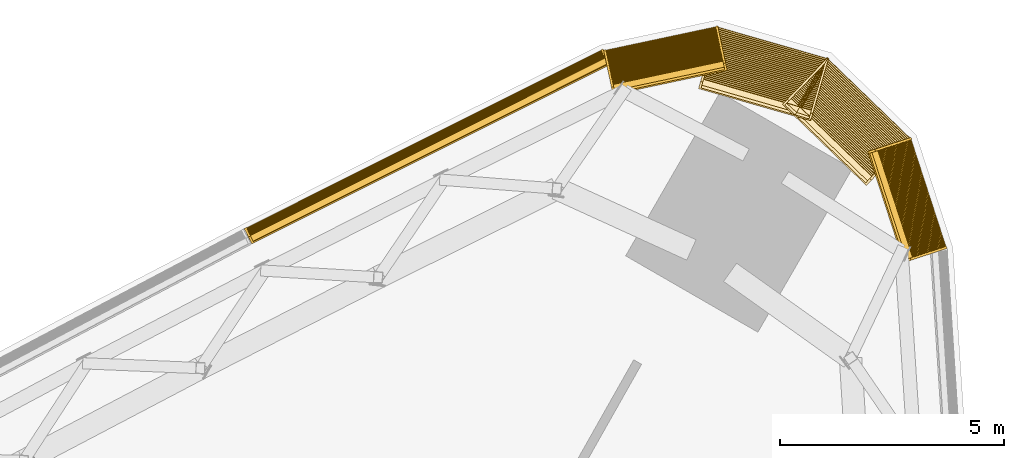
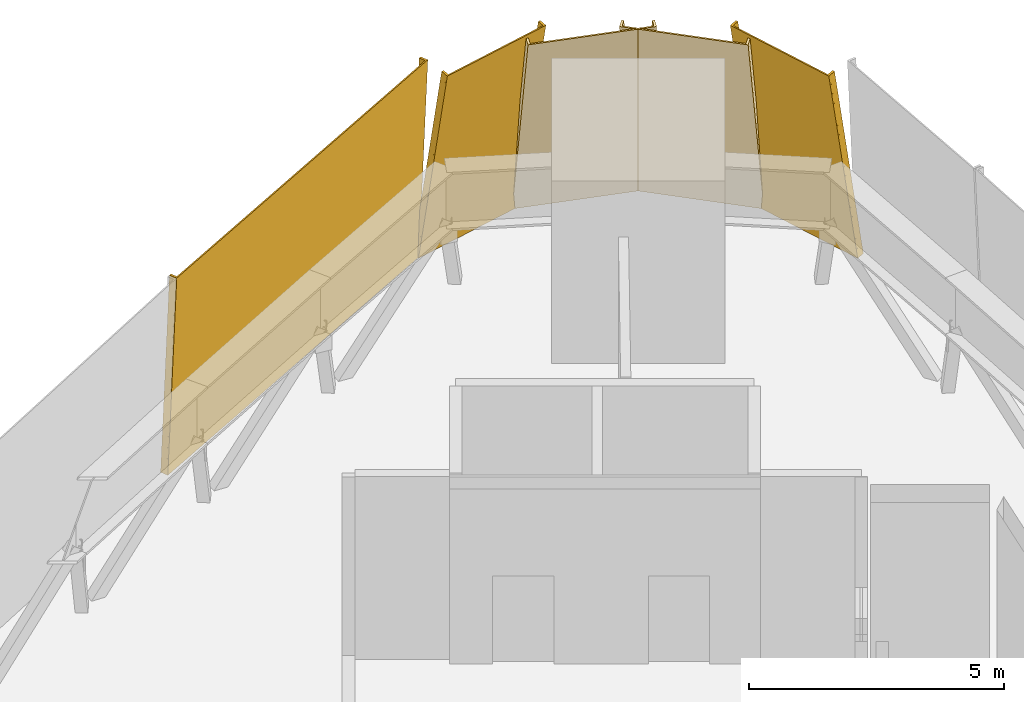
# One storey, part 19 of 19: 5 coverings.
"""IFC4 building model written with IfcOpenShell, lengths in metres."""

from ifc_helpers import new_model, si_unit, direction, frame, frame_2d, origin, place, context, subcontext, project, spatial, rectangle, extrude, source, transform, mapped, material, type_object, element, save


model = new_model("IFC4")

# Units and contexts
model_context = context("Model", 3, precision=1e-05, world=origin(), true_north=direction((0.0, 1.0)))
body_context = subcontext(model_context, "Body", "Model", "MODEL_VIEW")
ifc_project = project(units=[si_unit("LENGTHUNIT", "METRE"), si_unit("AREAUNIT", "SQUARE_METRE"), si_unit("VOLUMEUNIT", "CUBIC_METRE"), si_unit("PLANEANGLEUNIT", "RADIAN"), si_unit("MASSUNIT", "GRAM", prefix="KILO")], contexts=[model_context])

# Site, building, storey
site_placement = place(None, origin())
site = spatial("IfcSite", under=ifc_project, at=site_placement, CompositionType="ELEMENT")
building_placement = place(site_placement, origin())
building = spatial("IfcBuilding", under=site, at=building_placement, Name="Tamra Quay Hotel Tower", CompositionType="ELEMENT")
storey_placement = place(building_placement, frame((0.0, 0.0, 74.60009765625)))
storey = spatial("IfcBuildingStorey", under=building, at=storey_placement, Name="L17", CompositionType="ELEMENT", Elevation=74.60009765625)

# Coverings
ifc_material = material(Name="Terracotta louvre panel", Category="masonry")
covering_type_1 = type_object("IfcCoveringType", Name="PLANT LOUVRE H4805", PredefinedType="USERDEFINED", material=ifc_material)
shared_shape_1 = source(origin(), body_context, "Body", "SweptSolid", [
    extrude(rectangle(XDim=8.93994140625, YDim=0.030029296875, at=frame_2d((4.469970703125, 0.01513671875))), frame((-4.469970703125, -0.030029296875, 0.0)), (0.0, 0.0, 1.0), 4.804931640625),
    extrude(rectangle(XDim=0.050048828125, YDim=0.139892578125, at=frame_2d((0.02490234375, 0.06982421875))), frame((-4.469970703125, -0.169921875, 0.0)), (0.0, 0.0, 1.0), 4.804931640625),
    extrude(rectangle(XDim=0.050048828125, YDim=0.139892578125, at=frame_2d((0.02490234375, 0.06982421875))), frame((4.419921875, -0.169921875, 0.0)), (0.0, 0.0, 1.0), 4.804931640625),
    extrude(rectangle(XDim=8.840087890625, YDim=0.139892578125, at=frame_2d((4.419921875, 0.06982421875))), frame((-4.419921875, -0.169921875, 0.050048828125)), (0.0, 0.0, 1.0), 0.034912109375),
    extrude(rectangle(XDim=8.840087890625, YDim=0.139892578125, at=frame_2d((4.419921875, 0.06982421875))), frame((-4.419921875, -0.169921875, 0.2099609375)), (0.0, 0.0, 1.0), 0.034912109375),
    extrude(rectangle(XDim=8.840087890625, YDim=0.139892578125, at=frame_2d((4.419921875, 0.06982421875))), frame((-4.419921875, -0.169921875, 0.3701171875)), (0.0, 0.0, 1.0), 0.034912109375),
    extrude(rectangle(XDim=8.840087890625, YDim=0.139892578125, at=frame_2d((4.419921875, 0.06982421875))), frame((-4.419921875, -0.169921875, 0.530029296875)), (0.0, 0.0, 1.0), 0.034912109375),
    extrude(rectangle(XDim=8.840087890625, YDim=0.139892578125, at=frame_2d((4.419921875, 0.06982421875))), frame((-4.419921875, -0.169921875, 0.68994140625)), (0.0, 0.0, 1.0), 0.034912109375),
    extrude(rectangle(XDim=8.840087890625, YDim=0.139892578125, at=frame_2d((4.419921875, 0.06982421875))), frame((-4.419921875, -0.169921875, 0.85009765625)), (0.0, 0.0, 1.0), 0.034912109375),
    extrude(rectangle(XDim=8.840087890625, YDim=0.139892578125, at=frame_2d((4.419921875, 0.06982421875))), frame((-4.419921875, -0.169921875, 1.010009765625)), (0.0, 0.0, 1.0), 0.034912109375),
    extrude(rectangle(XDim=8.840087890625, YDim=0.139892578125, at=frame_2d((4.419921875, 0.06982421875))), frame((-4.419921875, -0.169921875, 1.169921875)), (0.0, 0.0, 1.0), 0.034912109375),
    extrude(rectangle(XDim=8.840087890625, YDim=0.139892578125, at=frame_2d((4.419921875, 0.06982421875))), frame((-4.419921875, -0.169921875, 1.330078125)), (0.0, 0.0, 1.0), 0.034912109375),
    extrude(rectangle(XDim=8.840087890625, YDim=0.139892578125, at=frame_2d((4.419921875, 0.06982421875))), frame((-4.419921875, -0.169921875, 1.489990234375)), (0.0, 0.0, 1.0), 0.034912109375),
    extrude(rectangle(XDim=8.840087890625, YDim=0.139892578125, at=frame_2d((4.419921875, 0.06982421875))), frame((-4.419921875, -0.169921875, 1.64990234375)), (0.0, 0.0, 1.0), 0.034912109375),
    extrude(rectangle(XDim=8.840087890625, YDim=0.139892578125, at=frame_2d((4.419921875, 0.06982421875))), frame((-4.419921875, -0.169921875, 1.81005859375)), (0.0, 0.0, 1.0), 0.034912109375),
    extrude(rectangle(XDim=8.840087890625, YDim=0.139892578125, at=frame_2d((4.419921875, 0.06982421875))), frame((-4.419921875, -0.169921875, 1.969970703125)), (0.0, 0.0, 1.0), 0.034912109375),
    extrude(rectangle(XDim=8.840087890625, YDim=0.139892578125, at=frame_2d((4.419921875, 0.06982421875))), frame((-4.419921875, -0.169921875, 2.1298828125)), (0.0, 0.0, 1.0), 0.034912109375),
    extrude(rectangle(XDim=8.840087890625, YDim=0.139892578125, at=frame_2d((4.419921875, 0.06982421875))), frame((-4.419921875, -0.169921875, 2.2900390625)), (0.0, 0.0, 1.0), 0.034912109375),
    extrude(rectangle(XDim=8.840087890625, YDim=0.139892578125, at=frame_2d((4.419921875, 0.06982421875))), frame((-4.419921875, -0.169921875, 2.449951171875)), (0.0, 0.0, 1.0), 0.034912109375),
    extrude(rectangle(XDim=8.840087890625, YDim=0.139892578125, at=frame_2d((4.419921875, 0.06982421875))), frame((-4.419921875, -0.169921875, 2.610107421875)), (0.0, 0.0, 1.0), 0.034912109375),
    extrude(rectangle(XDim=8.840087890625, YDim=0.139892578125, at=frame_2d((4.419921875, 0.06982421875))), frame((-4.419921875, -0.169921875, 2.77001953125)), (0.0, 0.0, 1.0), 0.034912109375),
    extrude(rectangle(XDim=8.840087890625, YDim=0.139892578125, at=frame_2d((4.419921875, 0.06982421875))), frame((-4.419921875, -0.169921875, 2.929931640625)), (0.0, 0.0, 1.0), 0.034912109375),
    extrude(rectangle(XDim=8.840087890625, YDim=0.139892578125, at=frame_2d((4.419921875, 0.06982421875))), frame((-4.419921875, -0.169921875, 3.090087890625)), (0.0, 0.0, 1.0), 0.034912109375),
    extrude(rectangle(XDim=8.840087890625, YDim=0.139892578125, at=frame_2d((4.419921875, 0.06982421875))), frame((-4.419921875, -0.169921875, 3.25)), (0.0, 0.0, 1.0), 0.034912109375),
    extrude(rectangle(XDim=8.840087890625, YDim=0.139892578125, at=frame_2d((4.419921875, 0.06982421875))), frame((-4.419921875, -0.169921875, 3.409912109375)), (0.0, 0.0, 1.0), 0.034912109375),
    extrude(rectangle(XDim=8.840087890625, YDim=0.139892578125, at=frame_2d((4.419921875, 0.06982421875))), frame((-4.419921875, -0.169921875, 3.570068359375)), (0.0, 0.0, 1.0), 0.034912109375),
    extrude(rectangle(XDim=8.840087890625, YDim=0.139892578125, at=frame_2d((4.419921875, 0.06982421875))), frame((-4.419921875, -0.169921875, 3.72998046875)), (0.0, 0.0, 1.0), 0.034912109375),
    extrude(rectangle(XDim=8.840087890625, YDim=0.139892578125, at=frame_2d((4.419921875, 0.06982421875))), frame((-4.419921875, -0.169921875, 3.889892578125)), (0.0, 0.0, 1.0), 0.034912109375),
    extrude(rectangle(XDim=8.840087890625, YDim=0.139892578125, at=frame_2d((4.419921875, 0.06982421875))), frame((-4.419921875, -0.169921875, 4.050048828125)), (0.0, 0.0, 1.0), 0.034912109375),
    extrude(rectangle(XDim=8.840087890625, YDim=0.139892578125, at=frame_2d((4.419921875, 0.06982421875))), frame((-4.419921875, -0.169921875, 4.2099609375)), (0.0, 0.0, 1.0), 0.034912109375),
    extrude(rectangle(XDim=8.840087890625, YDim=0.139892578125, at=frame_2d((4.419921875, 0.06982421875))), frame((-4.419921875, -0.169921875, 4.3701171875)), (0.0, 0.0, 1.0), 0.034912109375),
    extrude(rectangle(XDim=8.840087890625, YDim=0.139892578125, at=frame_2d((4.419921875, 0.06982421875))), frame((-4.419921875, -0.169921875, 4.530029296875)), (0.0, 0.0, 1.0), 0.034912109375),
])
covering_placement = place(storey_placement, frame((10.314453125, 31.381103515625, 0.0), z_axis=(0.01952582504, -0.039005039554, 0.999048221582), x_axis=(-0.89421337415, -0.447640973875, 0.0)))
element("IfcCovering", 1, at=covering_placement, inside=storey, type_object=covering_type_1, Name="Plant louvre L17.NW.f00", ObjectType="LOUVER", PredefinedType="USERDEFINED", context=body_context, shape_type="MappedRepresentation", body=[
    mapped(shared_shape_1, transform((0.0, 0.0, 0.0), scale=1.0)),
])
covering_type_2 = type_object("IfcCoveringType", Name="PLANT LOUVRE H4874", PredefinedType="USERDEFINED", material=ifc_material)
shared_shape_2 = source(origin(), body_context, "Body", "SweptSolid", [
    extrude(rectangle(XDim=2.60009765625, YDim=0.030029296875, at=frame_2d((1.300048828125, 0.01513671875))), frame((-1.300048828125, -0.030029296875, 0.0)), (0.0, 0.0, 1.0), 4.8740234375),
    extrude(rectangle(XDim=0.050048828125, YDim=0.139892578125, at=frame_2d((0.02490234375, 0.06982421875))), frame((-1.300048828125, -0.169921875, 0.0)), (0.0, 0.0, 1.0), 4.8740234375),
    extrude(rectangle(XDim=0.050048828125, YDim=0.139892578125, at=frame_2d((0.02490234375, 0.06982421875))), frame((1.25, -0.169921875, 0.0)), (0.0, 0.0, 1.0), 4.8740234375),
    extrude(rectangle(XDim=2.5, YDim=0.139892578125, at=frame_2d((1.25, 0.06982421875))), frame((-1.25, -0.169921875, 0.050048828125)), (0.0, 0.0, 1.0), 0.034912109375),
    extrude(rectangle(XDim=2.5, YDim=0.139892578125, at=frame_2d((1.25, 0.06982421875))), frame((-1.25, -0.169921875, 0.2099609375)), (0.0, 0.0, 1.0), 0.034912109375),
    extrude(rectangle(XDim=2.5, YDim=0.139892578125, at=frame_2d((1.25, 0.06982421875))), frame((-1.25, -0.169921875, 0.3701171875)), (0.0, 0.0, 1.0), 0.034912109375),
    extrude(rectangle(XDim=2.5, YDim=0.139892578125, at=frame_2d((1.25, 0.06982421875))), frame((-1.25, -0.169921875, 0.530029296875)), (0.0, 0.0, 1.0), 0.034912109375),
    extrude(rectangle(XDim=2.5, YDim=0.139892578125, at=frame_2d((1.25, 0.06982421875))), frame((-1.25, -0.169921875, 0.68994140625)), (0.0, 0.0, 1.0), 0.034912109375),
    extrude(rectangle(XDim=2.5, YDim=0.139892578125, at=frame_2d((1.25, 0.06982421875))), frame((-1.25, -0.169921875, 0.85009765625)), (0.0, 0.0, 1.0), 0.034912109375),
    extrude(rectangle(XDim=2.5, YDim=0.139892578125, at=frame_2d((1.25, 0.06982421875))), frame((-1.25, -0.169921875, 1.010009765625)), (0.0, 0.0, 1.0), 0.034912109375),
    extrude(rectangle(XDim=2.5, YDim=0.139892578125, at=frame_2d((1.25, 0.06982421875))), frame((-1.25, -0.169921875, 1.169921875)), (0.0, 0.0, 1.0), 0.034912109375),
    extrude(rectangle(XDim=2.5, YDim=0.139892578125, at=frame_2d((1.25, 0.06982421875))), frame((-1.25, -0.169921875, 1.330078125)), (0.0, 0.0, 1.0), 0.034912109375),
    extrude(rectangle(XDim=2.5, YDim=0.139892578125, at=frame_2d((1.25, 0.06982421875))), frame((-1.25, -0.169921875, 1.489990234375)), (0.0, 0.0, 1.0), 0.034912109375),
    extrude(rectangle(XDim=2.5, YDim=0.139892578125, at=frame_2d((1.25, 0.06982421875))), frame((-1.25, -0.169921875, 1.64990234375)), (0.0, 0.0, 1.0), 0.034912109375),
    extrude(rectangle(XDim=2.5, YDim=0.139892578125, at=frame_2d((1.25, 0.06982421875))), frame((-1.25, -0.169921875, 1.81005859375)), (0.0, 0.0, 1.0), 0.034912109375),
    extrude(rectangle(XDim=2.5, YDim=0.139892578125, at=frame_2d((1.25, 0.06982421875))), frame((-1.25, -0.169921875, 1.969970703125)), (0.0, 0.0, 1.0), 0.034912109375),
    extrude(rectangle(XDim=2.5, YDim=0.139892578125, at=frame_2d((1.25, 0.06982421875))), frame((-1.25, -0.169921875, 2.1298828125)), (0.0, 0.0, 1.0), 0.034912109375),
    extrude(rectangle(XDim=2.5, YDim=0.139892578125, at=frame_2d((1.25, 0.06982421875))), frame((-1.25, -0.169921875, 2.2900390625)), (0.0, 0.0, 1.0), 0.034912109375),
    extrude(rectangle(XDim=2.5, YDim=0.139892578125, at=frame_2d((1.25, 0.06982421875))), frame((-1.25, -0.169921875, 2.449951171875)), (0.0, 0.0, 1.0), 0.034912109375),
    extrude(rectangle(XDim=2.5, YDim=0.139892578125, at=frame_2d((1.25, 0.06982421875))), frame((-1.25, -0.169921875, 2.610107421875)), (0.0, 0.0, 1.0), 0.034912109375),
    extrude(rectangle(XDim=2.5, YDim=0.139892578125, at=frame_2d((1.25, 0.06982421875))), frame((-1.25, -0.169921875, 2.77001953125)), (0.0, 0.0, 1.0), 0.034912109375),
    extrude(rectangle(XDim=2.5, YDim=0.139892578125, at=frame_2d((1.25, 0.06982421875))), frame((-1.25, -0.169921875, 2.929931640625)), (0.0, 0.0, 1.0), 0.034912109375),
    extrude(rectangle(XDim=2.5, YDim=0.139892578125, at=frame_2d((1.25, 0.06982421875))), frame((-1.25, -0.169921875, 3.090087890625)), (0.0, 0.0, 1.0), 0.034912109375),
    extrude(rectangle(XDim=2.5, YDim=0.139892578125, at=frame_2d((1.25, 0.06982421875))), frame((-1.25, -0.169921875, 3.25)), (0.0, 0.0, 1.0), 0.034912109375),
    extrude(rectangle(XDim=2.5, YDim=0.139892578125, at=frame_2d((1.25, 0.06982421875))), frame((-1.25, -0.169921875, 3.409912109375)), (0.0, 0.0, 1.0), 0.034912109375),
    extrude(rectangle(XDim=2.5, YDim=0.139892578125, at=frame_2d((1.25, 0.06982421875))), frame((-1.25, -0.169921875, 3.570068359375)), (0.0, 0.0, 1.0), 0.034912109375),
    extrude(rectangle(XDim=2.5, YDim=0.139892578125, at=frame_2d((1.25, 0.06982421875))), frame((-1.25, -0.169921875, 3.72998046875)), (0.0, 0.0, 1.0), 0.034912109375),
    extrude(rectangle(XDim=2.5, YDim=0.139892578125, at=frame_2d((1.25, 0.06982421875))), frame((-1.25, -0.169921875, 3.889892578125)), (0.0, 0.0, 1.0), 0.034912109375),
    extrude(rectangle(XDim=2.5, YDim=0.139892578125, at=frame_2d((1.25, 0.06982421875))), frame((-1.25, -0.169921875, 4.050048828125)), (0.0, 0.0, 1.0), 0.034912109375),
    extrude(rectangle(XDim=2.5, YDim=0.139892578125, at=frame_2d((1.25, 0.06982421875))), frame((-1.25, -0.169921875, 4.2099609375)), (0.0, 0.0, 1.0), 0.034912109375),
    extrude(rectangle(XDim=2.5, YDim=0.139892578125, at=frame_2d((1.25, 0.06982421875))), frame((-1.25, -0.169921875, 4.3701171875)), (0.0, 0.0, 1.0), 0.034912109375),
    extrude(rectangle(XDim=2.5, YDim=0.139892578125, at=frame_2d((1.25, 0.06982421875))), frame((-1.25, -0.169921875, 4.530029296875)), (0.0, 0.0, 1.0), 0.034912109375),
])
for number, where, z_axis, x_axis, name in (
    (2, (21.335693359375, 30.276123046875, 0.0), (-0.165147901705, -0.05366432865, 0.984807753012), (-0.309040551826, 0.951048861693, 0.0), "Plant louvre L17.E.c00"),
    (3, (15.552001953125, 33.615234375, 0.0), (0.036099278965, -0.169854442583, 0.984807753012), (-0.978152750379, -0.207887462165, 0.0), "Plant louvre L17.E.c03"),
):
    element("IfcCovering", number, at=place(storey_placement, frame(where, z_axis=z_axis, x_axis=x_axis)), inside=storey, type_object=covering_type_2, Name=name, ObjectType="LOUVER", PredefinedType="USERDEFINED", context=body_context, shape_type="MappedRepresentation", body=[
        mapped(shared_shape_2, transform((0.0, 0.0, 0.0), scale=1.0)),
    ])
covering_type_3 = type_object("IfcCoveringType", Name="PLANT LOUVRE H4969", PredefinedType="USERDEFINED", material=ifc_material)
shared_shape_3 = source(origin(), body_context, "Body", "SweptSolid", [
    extrude(rectangle(XDim=2.60009765625, YDim=0.030029296875, at=frame_2d((1.300048828125, 0.01513671875))), frame((-1.300048828125, -0.030029296875, 0.0)), (0.0, 0.0, 1.0), 4.968994140625),
    extrude(rectangle(XDim=0.050048828125, YDim=0.139892578125, at=frame_2d((0.02490234375, 0.06982421875))), frame((-1.300048828125, -0.169921875, 0.0)), (0.0, 0.0, 1.0), 4.968994140625),
    extrude(rectangle(XDim=0.050048828125, YDim=0.139892578125, at=frame_2d((0.02490234375, 0.06982421875))), frame((1.25, -0.169921875, 0.0)), (0.0, 0.0, 1.0), 4.968994140625),
    extrude(rectangle(XDim=2.5, YDim=0.139892578125, at=frame_2d((1.25, 0.06982421875))), frame((-1.25, -0.169921875, 0.050048828125)), (0.0, 0.0, 1.0), 0.034912109375),
    extrude(rectangle(XDim=2.5, YDim=0.139892578125, at=frame_2d((1.25, 0.06982421875))), frame((-1.25, -0.169921875, 0.2099609375)), (0.0, 0.0, 1.0), 0.034912109375),
    extrude(rectangle(XDim=2.5, YDim=0.139892578125, at=frame_2d((1.25, 0.06982421875))), frame((-1.25, -0.169921875, 0.3701171875)), (0.0, 0.0, 1.0), 0.034912109375),
    extrude(rectangle(XDim=2.5, YDim=0.139892578125, at=frame_2d((1.25, 0.06982421875))), frame((-1.25, -0.169921875, 0.530029296875)), (0.0, 0.0, 1.0), 0.034912109375),
    extrude(rectangle(XDim=2.5, YDim=0.139892578125, at=frame_2d((1.25, 0.06982421875))), frame((-1.25, -0.169921875, 0.68994140625)), (0.0, 0.0, 1.0), 0.034912109375),
    extrude(rectangle(XDim=2.5, YDim=0.139892578125, at=frame_2d((1.25, 0.06982421875))), frame((-1.25, -0.169921875, 0.85009765625)), (0.0, 0.0, 1.0), 0.034912109375),
    extrude(rectangle(XDim=2.5, YDim=0.139892578125, at=frame_2d((1.25, 0.06982421875))), frame((-1.25, -0.169921875, 1.010009765625)), (0.0, 0.0, 1.0), 0.034912109375),
    extrude(rectangle(XDim=2.5, YDim=0.139892578125, at=frame_2d((1.25, 0.06982421875))), frame((-1.25, -0.169921875, 1.169921875)), (0.0, 0.0, 1.0), 0.034912109375),
    extrude(rectangle(XDim=2.5, YDim=0.139892578125, at=frame_2d((1.25, 0.06982421875))), frame((-1.25, -0.169921875, 1.330078125)), (0.0, 0.0, 1.0), 0.034912109375),
    extrude(rectangle(XDim=2.5, YDim=0.139892578125, at=frame_2d((1.25, 0.06982421875))), frame((-1.25, -0.169921875, 1.489990234375)), (0.0, 0.0, 1.0), 0.034912109375),
    extrude(rectangle(XDim=2.5, YDim=0.139892578125, at=frame_2d((1.25, 0.06982421875))), frame((-1.25, -0.169921875, 1.64990234375)), (0.0, 0.0, 1.0), 0.034912109375),
    extrude(rectangle(XDim=2.5, YDim=0.139892578125, at=frame_2d((1.25, 0.06982421875))), frame((-1.25, -0.169921875, 1.81005859375)), (0.0, 0.0, 1.0), 0.034912109375),
    extrude(rectangle(XDim=2.5, YDim=0.139892578125, at=frame_2d((1.25, 0.06982421875))), frame((-1.25, -0.169921875, 1.969970703125)), (0.0, 0.0, 1.0), 0.034912109375),
    extrude(rectangle(XDim=2.5, YDim=0.139892578125, at=frame_2d((1.25, 0.06982421875))), frame((-1.25, -0.169921875, 2.1298828125)), (0.0, 0.0, 1.0), 0.034912109375),
    extrude(rectangle(XDim=2.5, YDim=0.139892578125, at=frame_2d((1.25, 0.06982421875))), frame((-1.25, -0.169921875, 2.2900390625)), (0.0, 0.0, 1.0), 0.034912109375),
    extrude(rectangle(XDim=2.5, YDim=0.139892578125, at=frame_2d((1.25, 0.06982421875))), frame((-1.25, -0.169921875, 2.449951171875)), (0.0, 0.0, 1.0), 0.034912109375),
    extrude(rectangle(XDim=2.5, YDim=0.139892578125, at=frame_2d((1.25, 0.06982421875))), frame((-1.25, -0.169921875, 2.610107421875)), (0.0, 0.0, 1.0), 0.034912109375),
    extrude(rectangle(XDim=2.5, YDim=0.139892578125, at=frame_2d((1.25, 0.06982421875))), frame((-1.25, -0.169921875, 2.77001953125)), (0.0, 0.0, 1.0), 0.034912109375),
    extrude(rectangle(XDim=2.5, YDim=0.139892578125, at=frame_2d((1.25, 0.06982421875))), frame((-1.25, -0.169921875, 2.929931640625)), (0.0, 0.0, 1.0), 0.034912109375),
    extrude(rectangle(XDim=2.5, YDim=0.139892578125, at=frame_2d((1.25, 0.06982421875))), frame((-1.25, -0.169921875, 3.090087890625)), (0.0, 0.0, 1.0), 0.034912109375),
    extrude(rectangle(XDim=2.5, YDim=0.139892578125, at=frame_2d((1.25, 0.06982421875))), frame((-1.25, -0.169921875, 3.25)), (0.0, 0.0, 1.0), 0.034912109375),
    extrude(rectangle(XDim=2.5, YDim=0.139892578125, at=frame_2d((1.25, 0.06982421875))), frame((-1.25, -0.169921875, 3.409912109375)), (0.0, 0.0, 1.0), 0.034912109375),
    extrude(rectangle(XDim=2.5, YDim=0.139892578125, at=frame_2d((1.25, 0.06982421875))), frame((-1.25, -0.169921875, 3.570068359375)), (0.0, 0.0, 1.0), 0.034912109375),
    extrude(rectangle(XDim=2.5, YDim=0.139892578125, at=frame_2d((1.25, 0.06982421875))), frame((-1.25, -0.169921875, 3.72998046875)), (0.0, 0.0, 1.0), 0.034912109375),
    extrude(rectangle(XDim=2.5, YDim=0.139892578125, at=frame_2d((1.25, 0.06982421875))), frame((-1.25, -0.169921875, 3.889892578125)), (0.0, 0.0, 1.0), 0.034912109375),
    extrude(rectangle(XDim=2.5, YDim=0.139892578125, at=frame_2d((1.25, 0.06982421875))), frame((-1.25, -0.169921875, 4.050048828125)), (0.0, 0.0, 1.0), 0.034912109375),
    extrude(rectangle(XDim=2.5, YDim=0.139892578125, at=frame_2d((1.25, 0.06982421875))), frame((-1.25, -0.169921875, 4.2099609375)), (0.0, 0.0, 1.0), 0.034912109375),
    extrude(rectangle(XDim=2.5, YDim=0.139892578125, at=frame_2d((1.25, 0.06982421875))), frame((-1.25, -0.169921875, 4.3701171875)), (0.0, 0.0, 1.0), 0.034912109375),
    extrude(rectangle(XDim=2.5, YDim=0.139892578125, at=frame_2d((1.25, 0.06982421875))), frame((-1.25, -0.169921875, 4.530029296875)), (0.0, 0.0, 1.0), 0.034912109375),
    extrude(rectangle(XDim=2.5, YDim=0.139892578125, at=frame_2d((1.25, 0.06982421875))), frame((-1.25, -0.169921875, 4.68994140625)), (0.0, 0.0, 1.0), 0.034912109375),
])
for number, where, z_axis, x_axis, name in (
    (4, (20.05615234375, 32.32373046875, 0.0), (-0.179789278899, -0.186180324688, 0.965925826289), (-0.719345535851, 0.694652431113, 0.0), "Plant louvre L17.E.c01"),
    (5, (17.965087890625, 33.531005859375, 0.0), (-0.071342251415, -0.248792245198, 0.965925826289), (-0.96125942007, 0.275645292589, 0.0), "Plant louvre L17.E.c02"),
):
    element("IfcCovering", number, at=place(storey_placement, frame(where, z_axis=z_axis, x_axis=x_axis)), inside=storey, type_object=covering_type_3, Name=name, ObjectType="LOUVER", PredefinedType="USERDEFINED", context=body_context, shape_type="MappedRepresentation", body=[
        mapped(shared_shape_3, transform((0.0, 0.0, 0.0), scale=1.0)),
    ])

save(model, "model.ifc")
